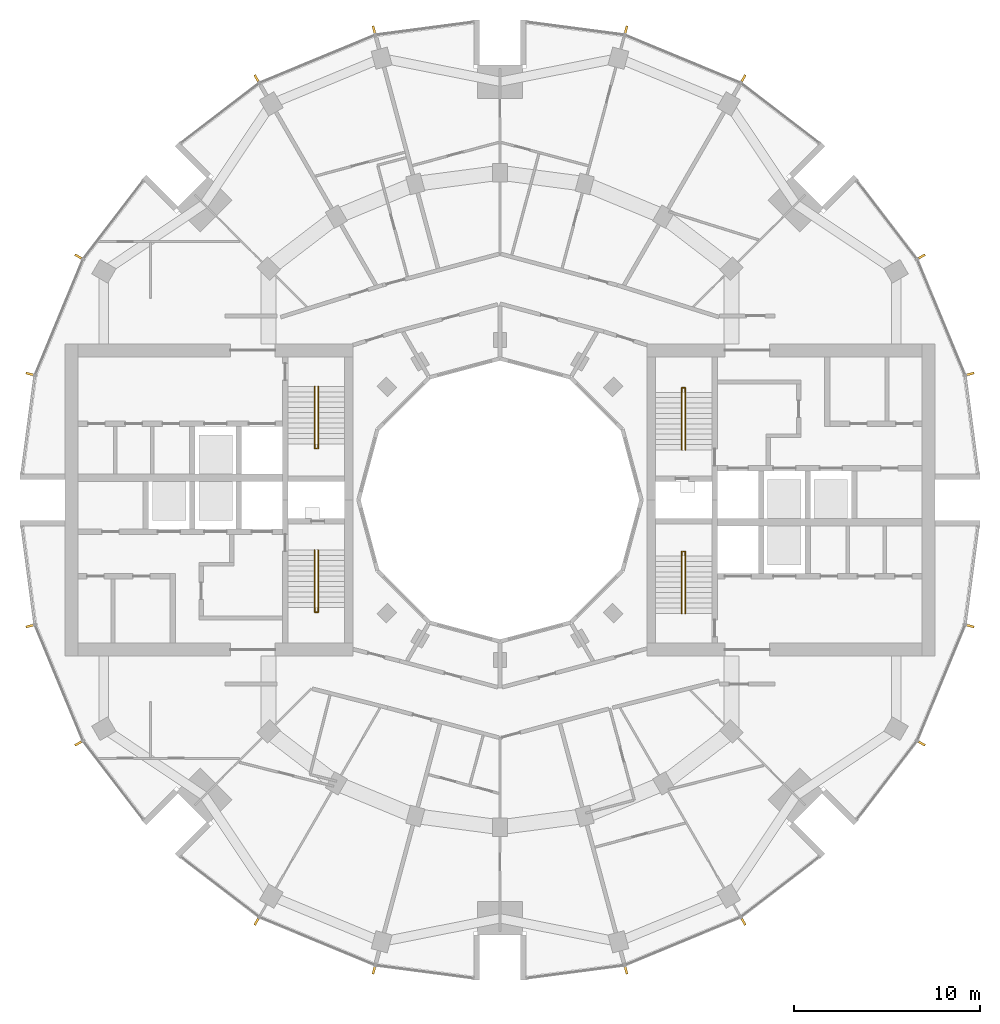
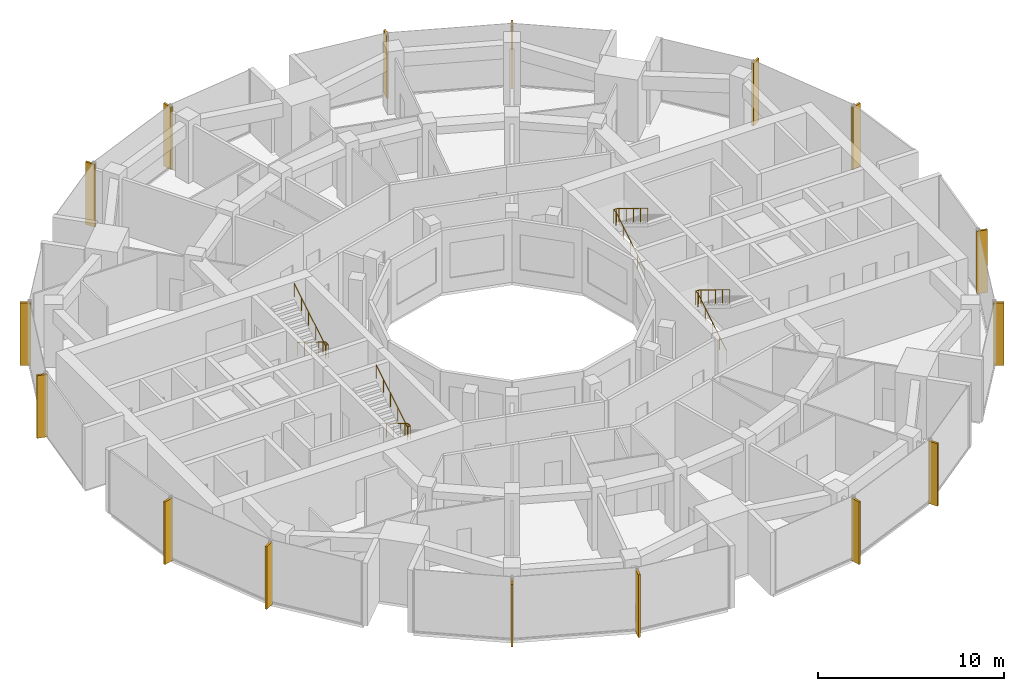
# One storey, part 14 of 15: 16 shading devices, 4 railings.
"""IFC4 building model written with IfcOpenShell, lengths in metres."""

from ifc_helpers import new_model, si_unit, direction, frame, origin, origin_2d, place, context, subcontext, project, spatial, rectangle, circle, extrude, material, material_profile, profile_set, type_object, element, save


model = new_model("IFC4")

# Units and contexts
model_context = context("Model", 3, precision=1e-05, world=origin(), true_north=direction((0.0, 1.0)))
body_context = subcontext(model_context, "Body", "Model", "MODEL_VIEW")
ifc_project = project(units=[si_unit("LENGTHUNIT", "METRE"), si_unit("AREAUNIT", "SQUARE_METRE"), si_unit("VOLUMEUNIT", "CUBIC_METRE"), si_unit("PLANEANGLEUNIT", "RADIAN"), si_unit("MASSUNIT", "GRAM", prefix="KILO")], contexts=[model_context])

# Site, building, storey
site_placement = place(None, origin())
site = spatial("IfcSite", under=ifc_project, at=site_placement, CompositionType="ELEMENT")
building_placement = place(site_placement, origin())
building = spatial("IfcBuilding", under=site, at=building_placement, Name="Torre Brocal", CompositionType="ELEMENT")
storey_placement = place(building_placement, frame((0.0, 0.0, 190.5)))
storey = spatial("IfcBuildingStorey", under=building, at=storey_placement, Name="L44", CompositionType="ELEMENT", Elevation=190.5)

# Shading devices
ifc_material_1 = material(Name="Aluminium, black anodised", Category="aluminium")
ifc_material_profile = material_profile(ifc_material_1, rectangle(XDim=0.1201171875, YDim=0.60009765625, at=origin_2d()), Name="FIN 120X600 4100 HIGH")
ifc_profile_set = profile_set([ifc_material_profile], Name="Aluminium, black anodised")
shading_device_type = type_object("IfcShadingDeviceType", Name="FIN 120X600 4100 HIGH", PredefinedType="USERDEFINED", material=ifc_profile_set)
for number, where, z_axis, x_axis, name in (
    (1, (105.208984375, 81.754638671875, -0.14990234375), (0.0, 0.0, 1.0), (-0.258819045103, 0.965925826289, 0.0), "FIN"),
    (2, (102.601806640625, 88.049072265625, -0.14990234375), (0.0, 0.0, 1.0), (-0.5, 0.866025403784, 0.0), "FIN"),
    (3, (93.049072265625, 97.601806640625, -0.14990234375), (0.0, 0.0, 1.0), (-0.866025403784, 0.5, 0.0), "FIN"),
    (4, (86.754638671875, 100.208984375, -0.14990234375), (0.0, 0.0, 1.0), (-0.965925826289, 0.258819045103, 0.0), "FIN"),
    (5, (73.245361328125, 100.208984375, -0.14990234375), (0.0, 0.0, 1.0), (-0.965925826289, -0.258819045103, 0.0), "FIN"),
    (6, (66.950927734375, 97.601806640625, -0.14990234375), (0.0, 0.0, 1.0), (-0.866025403784, -0.5, 0.0), "FIN"),
    (7, (57.398193359375, 88.049072265625, -0.14990234375), (0.0, 0.0, 1.0), (-0.5, -0.866025403784, 0.0), "FIN"),
    (8, (54.791015625, 81.754638671875, -0.14990234375), (0.0, 0.0, 1.0), (-0.258819045103, -0.965925826289, 0.0), "FIN"),
    (9, (54.791015625, 68.245361328125, -0.14990234375), (0.0, 0.0, 1.0), (0.258819045103, -0.965925826289, 0.0), "FIN"),
    (10, (57.398193359375, 61.950927734375, -0.14990234375), (0.0, 0.0, 1.0), (0.5, -0.866025403784, 0.0), "FIN"),
    (11, (66.950927734375, 52.398193359375, -0.14990234375), (0.0, 0.0, 1.0), (0.866025403784, -0.5, 0.0), "FIN"),
    (12, (73.245361328125, 49.791015625, -0.14990234375), (0.0, 0.0, 1.0), (0.965925826289, -0.258819045103, 0.0), "FIN"),
    (13, (86.754638671875, 49.791015625, -0.14990234375), (0.0, 0.0, 1.0), (0.965925826289, 0.258819045103, 0.0), "FIN"),
    (14, (93.049072265625, 52.398193359375, -0.14990234375), (0.0, 0.0, 1.0), (0.866025403784, 0.5, 0.0), "FIN"),
    (15, (102.601806640625, 61.950927734375, -0.14990234375), (0.0, 0.0, 1.0), (0.5, 0.866025403784, 0.0), "FIN"),
    (16, (105.208984375, 68.245361328125, -0.14990234375), (0.0, 0.0, 1.0), (0.258819045103, 0.965925826289, 0.0), "FIN"),
):
    element("IfcShadingDevice", number, at=place(storey_placement, frame(where, z_axis=z_axis, x_axis=x_axis)), inside=storey, type_object=shading_device_type, Name=name, ObjectType="FIN", PredefinedType="USERDEFINED", context=body_context, shape_type="SweptSolid", body=[
        extrude(rectangle(XDim=0.1201171875, YDim=0.60009765625, at=origin_2d()), origin(), (0.0, 0.0, 1.0), 4.099853515625),
    ])

# Railings
ifc_material_2 = material(Name="Stainless steel AISI 316", Category="steel")
railing_type = type_object("IfcRailingType", Name="STAIR HANDRAIL", PredefinedType="HANDRAIL", material=ifc_material_2)
railing_1_placement = place(storey_placement, frame((89.780029296875, 77.699951171875, 0.1708984375)))
element("IfcRailing", 17, at=railing_1_placement, inside=storey, type_object=railing_type, Name="HANDRAIL ST1", PredefinedType="HANDRAIL", context=body_context, shape_type="SweptSolid", body=[
    extrude(circle(Radius=0.02392578125, at=origin_2d()), frame((0.0, 0.0, 0.8759765625), z_axis=(0.0, 0.853666305674, 0.52082035152), x_axis=(-1.0, 0.0, 0.0)), (0.0, 0.0, 1.0), 3.608154296875),
    extrude(circle(Radius=0.02392578125, at=origin_2d()), frame((0.0, 3.080078125, 2.7548828125), z_axis=(0.0, 1.0, 0.0), x_axis=(-1.0, 0.0, 0.0)), (0.0, 0.0, 1.0), 0.25),
    extrude(circle(Radius=0.02392578125, at=origin_2d()), frame((0.0, 3.330078125, 2.7548828125), z_axis=(1.0, 0.0, 0.0), x_axis=(0.0, 1.0, 0.0)), (0.0, 0.0, 1.0), 0.18994140625),
    extrude(circle(Radius=0.02392578125, at=origin_2d()), frame((0.18994140625, 3.330078125, 2.7548828125), z_axis=(0.0, -0.825544483742, 0.564337049433), x_axis=(1.0, 0.0, 0.0)), (0.0, 0.0, 1.0), 0.302734375),
    extrude(circle(Radius=0.02392578125, at=origin_2d()), frame((0.18994140625, 3.080078125, 2.92578125), z_axis=(0.0, -0.853666305674, 0.52082035152), x_axis=(1.0, 0.0, 0.0)), (0.0, 0.0, 1.0), 3.608154296875),
    extrude(circle(Radius=0.02099609375, at=origin_2d()), origin(), (0.0, 0.0, 1.0), 0.851806640625),
    extrude(circle(Radius=0.02099609375, at=origin_2d()), frame((0.0, 0.77001953125, 0.4697265625)), (0.0, 0.0, 1.0), 0.851806640625),
    extrude(circle(Radius=0.02099609375, at=origin_2d()), frame((0.0, 1.5400390625, 0.939453125)), (0.0, 0.0, 1.0), 0.851806640625),
    extrude(circle(Radius=0.02099609375, at=origin_2d()), frame((0.0, 2.31005859375, 1.409423828125)), (0.0, 0.0, 1.0), 0.851806640625),
    extrude(circle(Radius=0.02099609375, at=origin_2d()), frame((0.0, 3.080078125, 1.879150390625)), (0.0, 0.0, 1.0), 0.851806640625),
    extrude(circle(Radius=0.02099609375, at=origin_2d()), frame((0.0, 3.330078125, 1.879150390625)), (0.0, 0.0, 1.0), 0.851806640625),
    extrude(circle(Radius=0.02099609375, at=origin_2d()), frame((0.18994140625, 3.330078125, 1.879150390625)), (0.0, 0.0, 1.0), 0.851806640625),
    extrude(circle(Radius=0.02099609375, at=origin_2d()), frame((0.18994140625, 3.080078125, 2.050048828125)), (0.0, 0.0, 1.0), 0.851806640625),
    extrude(circle(Radius=0.02099609375, at=origin_2d()), frame((0.18994140625, 2.31005859375, 2.519775390625)), (0.0, 0.0, 1.0), 0.851806640625),
    extrude(circle(Radius=0.02099609375, at=origin_2d()), frame((0.18994140625, 1.5400390625, 2.98974609375)), (0.0, 0.0, 1.0), 0.851806640625),
    extrude(circle(Radius=0.02099609375, at=origin_2d()), frame((0.18994140625, 0.77001953125, 3.45947265625)), (0.0, 0.0, 1.0), 0.851806640625),
    extrude(circle(Radius=0.02099609375, at=origin_2d()), frame((0.18994140625, 0.0, 3.92919921875)), (0.0, 0.0, 1.0), 0.851806640625),
])
railing_2_placement = place(storey_placement, frame((89.780029296875, 68.89990234375, 0.1708984375)))
element("IfcRailing", 18, at=railing_2_placement, inside=storey, type_object=railing_type, Name="HANDRAIL ST2", PredefinedType="HANDRAIL", context=body_context, shape_type="SweptSolid", body=[
    extrude(circle(Radius=0.02392578125, at=origin_2d()), frame((0.0, 0.0, 0.8759765625), z_axis=(0.0, 0.853666305674, 0.52082035152), x_axis=(-1.0, 0.0, 0.0)), (0.0, 0.0, 1.0), 3.608154296875),
    extrude(circle(Radius=0.02392578125, at=origin_2d()), frame((0.0, 3.080078125, 2.7548828125), z_axis=(0.0, 1.0, 0.0), x_axis=(-1.0, 0.0, 0.0)), (0.0, 0.0, 1.0), 0.25),
    extrude(circle(Radius=0.02392578125, at=origin_2d()), frame((0.0, 3.330078125, 2.7548828125), z_axis=(1.0, 0.0, 0.0), x_axis=(0.0, 1.0, 0.0)), (0.0, 0.0, 1.0), 0.18994140625),
    extrude(circle(Radius=0.02392578125, at=origin_2d()), frame((0.18994140625, 3.330078125, 2.7548828125), z_axis=(0.0, -0.825544483742, 0.564337049433), x_axis=(1.0, 0.0, 0.0)), (0.0, 0.0, 1.0), 0.302734375),
    extrude(circle(Radius=0.02392578125, at=origin_2d()), frame((0.18994140625, 3.080078125, 2.92578125), z_axis=(0.0, -0.853666305674, 0.52082035152), x_axis=(1.0, 0.0, 0.0)), (0.0, 0.0, 1.0), 3.608154296875),
    extrude(circle(Radius=0.02099609375, at=origin_2d()), origin(), (0.0, 0.0, 1.0), 0.851806640625),
    extrude(circle(Radius=0.02099609375, at=origin_2d()), frame((0.0, 0.77001953125, 0.4697265625)), (0.0, 0.0, 1.0), 0.851806640625),
    extrude(circle(Radius=0.02099609375, at=origin_2d()), frame((0.0, 1.5400390625, 0.939453125)), (0.0, 0.0, 1.0), 0.851806640625),
    extrude(circle(Radius=0.02099609375, at=origin_2d()), frame((0.0, 2.31005859375, 1.409423828125)), (0.0, 0.0, 1.0), 0.851806640625),
    extrude(circle(Radius=0.02099609375, at=origin_2d()), frame((0.0, 3.080078125, 1.879150390625)), (0.0, 0.0, 1.0), 0.851806640625),
    extrude(circle(Radius=0.02099609375, at=origin_2d()), frame((0.0, 3.330078125, 1.879150390625)), (0.0, 0.0, 1.0), 0.851806640625),
    extrude(circle(Radius=0.02099609375, at=origin_2d()), frame((0.18994140625, 3.330078125, 1.879150390625)), (0.0, 0.0, 1.0), 0.851806640625),
    extrude(circle(Radius=0.02099609375, at=origin_2d()), frame((0.18994140625, 3.080078125, 2.050048828125)), (0.0, 0.0, 1.0), 0.851806640625),
    extrude(circle(Radius=0.02099609375, at=origin_2d()), frame((0.18994140625, 2.31005859375, 2.519775390625)), (0.0, 0.0, 1.0), 0.851806640625),
    extrude(circle(Radius=0.02099609375, at=origin_2d()), frame((0.18994140625, 1.5400390625, 2.98974609375)), (0.0, 0.0, 1.0), 0.851806640625),
    extrude(circle(Radius=0.02099609375, at=origin_2d()), frame((0.18994140625, 0.77001953125, 3.45947265625)), (0.0, 0.0, 1.0), 0.851806640625),
    extrude(circle(Radius=0.02099609375, at=origin_2d()), frame((0.18994140625, 0.0, 3.92919921875)), (0.0, 0.0, 1.0), 0.851806640625),
])
railing_3_placement = place(storey_placement, frame((70.219970703125, 72.300048828125, 0.1708984375)))
element("IfcRailing", 19, at=railing_3_placement, inside=storey, type_object=railing_type, Name="HANDRAIL ST3", PredefinedType="HANDRAIL", context=body_context, shape_type="SweptSolid", body=[
    extrude(circle(Radius=0.02392578125, at=origin_2d()), frame((0.0, 0.0, 0.8759765625), z_axis=(0.0, -0.853666305674, 0.52082035152), x_axis=(1.0, 0.0, 0.0)), (0.0, 0.0, 1.0), 3.608154296875),
    extrude(circle(Radius=0.02392578125, at=origin_2d()), frame((0.0, -3.080078125, 2.7548828125), z_axis=(0.0, -1.0, 0.0), x_axis=(1.0, 0.0, 0.0)), (0.0, 0.0, 1.0), 0.25),
    extrude(circle(Radius=0.02392578125, at=origin_2d()), frame((0.0, -3.330078125, 2.7548828125), z_axis=(-1.0, 0.0, 0.0), x_axis=(0.0, -1.0, 0.0)), (0.0, 0.0, 1.0), 0.18994140625),
    extrude(circle(Radius=0.02392578125, at=origin_2d()), frame((-0.18994140625, -3.330078125, 2.7548828125), z_axis=(0.0, 0.825544483742, 0.564337049433), x_axis=(-1.0, 0.0, 0.0)), (0.0, 0.0, 1.0), 0.302734375),
    extrude(circle(Radius=0.02392578125, at=origin_2d()), frame((-0.18994140625, -3.080078125, 2.92578125), z_axis=(0.0, 0.853666305674, 0.52082035152), x_axis=(-1.0, 0.0, 0.0)), (0.0, 0.0, 1.0), 3.608154296875),
    extrude(circle(Radius=0.02099609375, at=origin_2d()), origin(), (0.0, 0.0, 1.0), 0.851806640625),
    extrude(circle(Radius=0.02099609375, at=origin_2d()), frame((0.0, -0.77001953125, 0.4697265625)), (0.0, 0.0, 1.0), 0.851806640625),
    extrude(circle(Radius=0.02099609375, at=origin_2d()), frame((0.0, -1.5400390625, 0.939453125)), (0.0, 0.0, 1.0), 0.851806640625),
    extrude(circle(Radius=0.02099609375, at=origin_2d()), frame((0.0, -2.31005859375, 1.409423828125)), (0.0, 0.0, 1.0), 0.851806640625),
    extrude(circle(Radius=0.02099609375, at=origin_2d()), frame((0.0, -3.080078125, 1.879150390625)), (0.0, 0.0, 1.0), 0.851806640625),
    extrude(circle(Radius=0.02099609375, at=origin_2d()), frame((0.0, -3.330078125, 1.879150390625)), (0.0, 0.0, 1.0), 0.851806640625),
    extrude(circle(Radius=0.02099609375, at=origin_2d()), frame((-0.18994140625, -3.330078125, 1.879150390625)), (0.0, 0.0, 1.0), 0.851806640625),
    extrude(circle(Radius=0.02099609375, at=origin_2d()), frame((-0.18994140625, -3.080078125, 2.050048828125)), (0.0, 0.0, 1.0), 0.851806640625),
    extrude(circle(Radius=0.02099609375, at=origin_2d()), frame((-0.18994140625, -2.31005859375, 2.519775390625)), (0.0, 0.0, 1.0), 0.851806640625),
    extrude(circle(Radius=0.02099609375, at=origin_2d()), frame((-0.18994140625, -1.5400390625, 2.98974609375)), (0.0, 0.0, 1.0), 0.851806640625),
    extrude(circle(Radius=0.02099609375, at=origin_2d()), frame((-0.18994140625, -0.77001953125, 3.45947265625)), (0.0, 0.0, 1.0), 0.851806640625),
    extrude(circle(Radius=0.02099609375, at=origin_2d()), frame((-0.18994140625, 0.0, 3.92919921875)), (0.0, 0.0, 1.0), 0.851806640625),
])
railing_4_placement = place(storey_placement, frame((70.219970703125, 81.10009765625, 0.1708984375)))
element("IfcRailing", 20, at=railing_4_placement, inside=storey, type_object=railing_type, Name="HANDRAIL ST4", PredefinedType="HANDRAIL", context=body_context, shape_type="SweptSolid", body=[
    extrude(circle(Radius=0.02392578125, at=origin_2d()), frame((0.0, 0.0, 0.8759765625), z_axis=(0.0, -0.853666305674, 0.52082035152), x_axis=(1.0, 0.0, 0.0)), (0.0, 0.0, 1.0), 3.608154296875),
    extrude(circle(Radius=0.02392578125, at=origin_2d()), frame((0.0, -3.080078125, 2.7548828125), z_axis=(0.0, -1.0, 0.0), x_axis=(1.0, 0.0, 0.0)), (0.0, 0.0, 1.0), 0.25),
    extrude(circle(Radius=0.02392578125, at=origin_2d()), frame((0.0, -3.330078125, 2.7548828125), z_axis=(-1.0, 0.0, 0.0), x_axis=(0.0, -1.0, 0.0)), (0.0, 0.0, 1.0), 0.18994140625),
    extrude(circle(Radius=0.02392578125, at=origin_2d()), frame((-0.18994140625, -3.330078125, 2.7548828125), z_axis=(0.0, 0.825544483742, 0.564337049433), x_axis=(-1.0, 0.0, 0.0)), (0.0, 0.0, 1.0), 0.302734375),
    extrude(circle(Radius=0.02392578125, at=origin_2d()), frame((-0.18994140625, -3.080078125, 2.92578125), z_axis=(0.0, 0.853666305674, 0.52082035152), x_axis=(-1.0, 0.0, 0.0)), (0.0, 0.0, 1.0), 3.608154296875),
    extrude(circle(Radius=0.02099609375, at=origin_2d()), origin(), (0.0, 0.0, 1.0), 0.851806640625),
    extrude(circle(Radius=0.02099609375, at=origin_2d()), frame((0.0, -0.77001953125, 0.4697265625)), (0.0, 0.0, 1.0), 0.851806640625),
    extrude(circle(Radius=0.02099609375, at=origin_2d()), frame((0.0, -1.5400390625, 0.939453125)), (0.0, 0.0, 1.0), 0.851806640625),
    extrude(circle(Radius=0.02099609375, at=origin_2d()), frame((0.0, -2.31005859375, 1.409423828125)), (0.0, 0.0, 1.0), 0.851806640625),
    extrude(circle(Radius=0.02099609375, at=origin_2d()), frame((0.0, -3.080078125, 1.879150390625)), (0.0, 0.0, 1.0), 0.851806640625),
    extrude(circle(Radius=0.02099609375, at=origin_2d()), frame((0.0, -3.330078125, 1.879150390625)), (0.0, 0.0, 1.0), 0.851806640625),
    extrude(circle(Radius=0.02099609375, at=origin_2d()), frame((-0.18994140625, -3.330078125, 1.879150390625)), (0.0, 0.0, 1.0), 0.851806640625),
    extrude(circle(Radius=0.02099609375, at=origin_2d()), frame((-0.18994140625, -3.080078125, 2.050048828125)), (0.0, 0.0, 1.0), 0.851806640625),
    extrude(circle(Radius=0.02099609375, at=origin_2d()), frame((-0.18994140625, -2.31005859375, 2.519775390625)), (0.0, 0.0, 1.0), 0.851806640625),
    extrude(circle(Radius=0.02099609375, at=origin_2d()), frame((-0.18994140625, -1.5400390625, 2.98974609375)), (0.0, 0.0, 1.0), 0.851806640625),
    extrude(circle(Radius=0.02099609375, at=origin_2d()), frame((-0.18994140625, -0.77001953125, 3.45947265625)), (0.0, 0.0, 1.0), 0.851806640625),
    extrude(circle(Radius=0.02099609375, at=origin_2d()), frame((-0.18994140625, 0.0, 3.92919921875)), (0.0, 0.0, 1.0), 0.851806640625),
])

save(model, "model.ifc")
